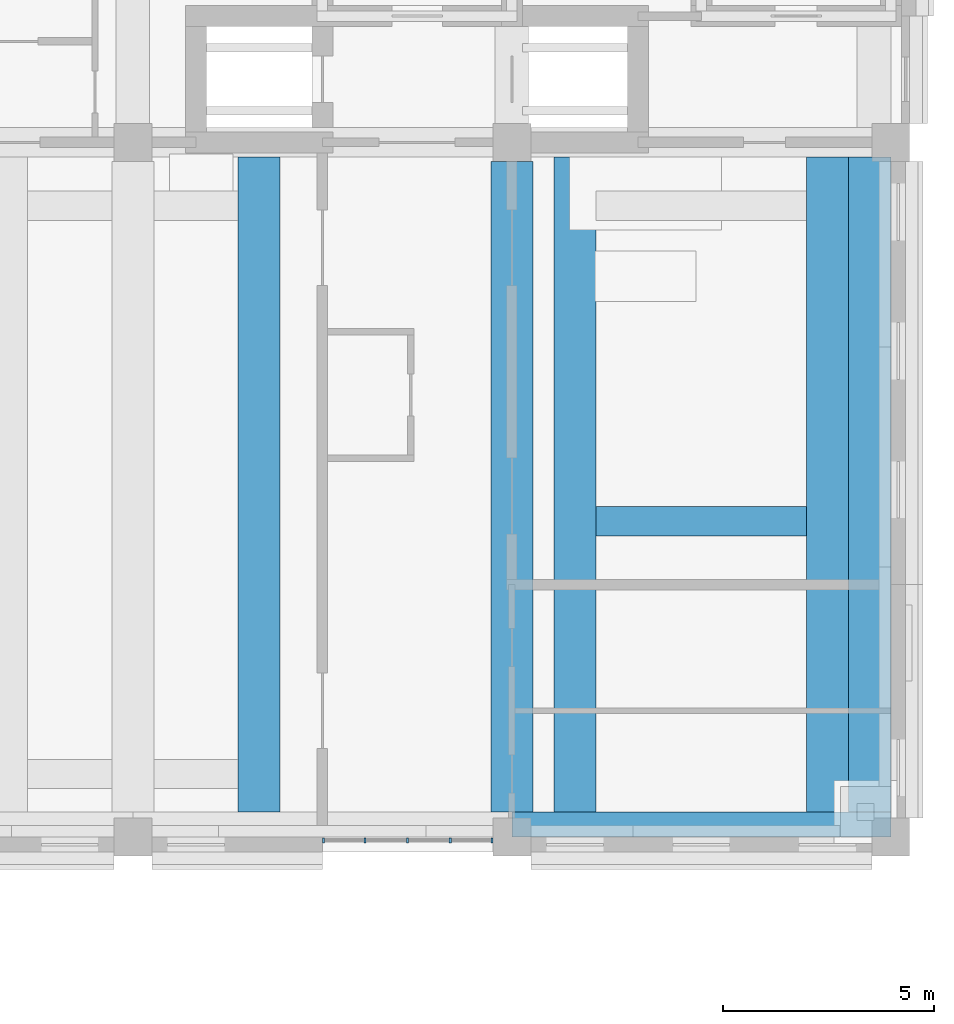
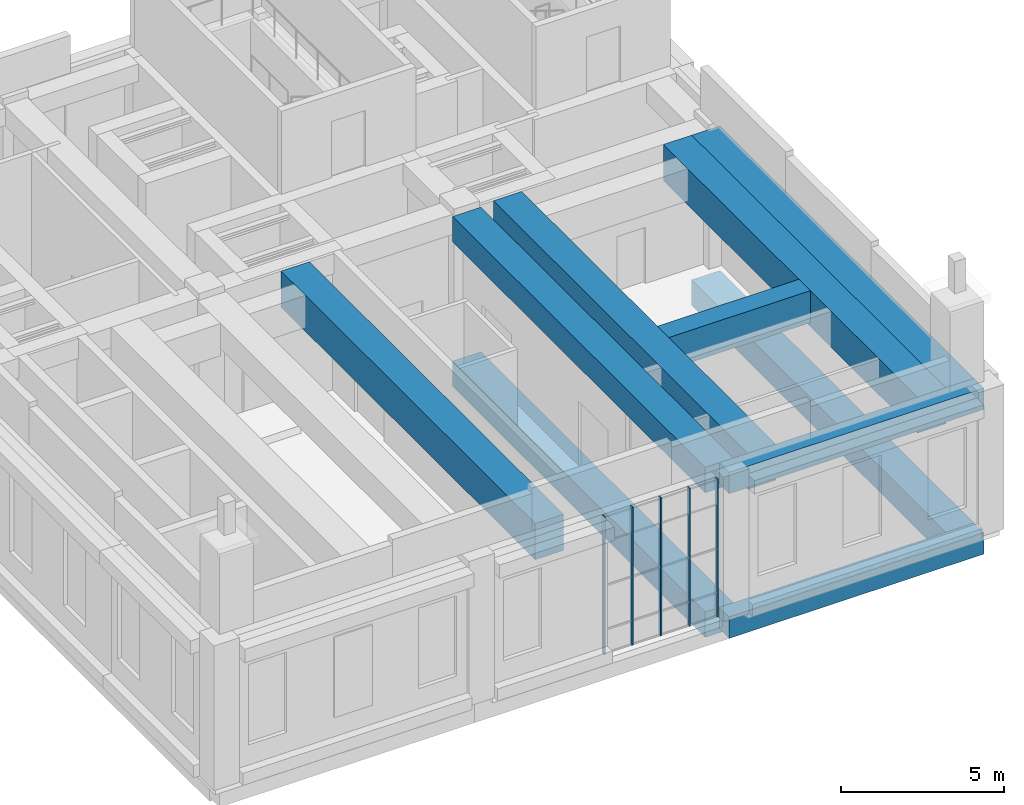
# One storey, part 4 of 22: 10 beams, 5 members, 1 element without a shape of its own.
"""IFC4 building model written with IfcOpenShell, lengths in metres."""

from ifc_helpers import new_model, si_unit, direction, frame, origin, origin_2d, place, context, subcontext, project, spatial, rectangle, extrude, material, layer, layer_set, material_profile, profile_set, type_object, element, aggregate, save


model = new_model("IFC4")

# Units and contexts
model_context = context("Model", 3, precision=1e-05, world=origin(), true_north=direction((0.0, 1.0)))
body_context = subcontext(model_context, "Body", "Model", "MODEL_VIEW")
ifc_project = project(units=[si_unit("LENGTHUNIT", "METRE"), si_unit("AREAUNIT", "SQUARE_METRE"), si_unit("VOLUMEUNIT", "CUBIC_METRE"), si_unit("PLANEANGLEUNIT", "RADIAN"), si_unit("MASSUNIT", "GRAM", prefix="KILO")], contexts=[model_context])

# Site, building, storey
site_placement = place(None, origin())
site = spatial("IfcSite", under=ifc_project, at=site_placement, CompositionType="ELEMENT")
building_placement = place(site_placement, origin())
building = spatial("IfcBuilding", under=site, at=building_placement, Name="Aurelan Courthouse", CompositionType="ELEMENT")
storey_placement = place(building_placement, frame((0.0, 0.0, 39.0)))
storey = spatial("IfcBuildingStorey", under=building, at=storey_placement, Name="L07", CompositionType="ELEMENT", Elevation=39.0)

# Curtain wall, members
ifc_material_1 = material(Name="Bronze-finished aluminium and glass", Category="aluminium")
ifc_layer = layer(ifc_material_1, 0.14990234375)
ifc_layer_set = layer_set([ifc_layer], Name="Bronze-finished aluminium and glass")
curtain_wall_type = type_object("IfcCurtainWallType", Name="Curtain wall 4050 x 5150", PredefinedType="NOTDEFINED", material=ifc_layer_set)
curtain_wall_placement = place(storey_placement, origin())
curtain_wall = element("IfcCurtainWall", 1, at=curtain_wall_placement, inside=storey, type_object=curtain_wall_type, Name="Curtain wall CW-V2-L07-S01", PredefinedType="NOTDEFINED")
ifc_material_2 = material(Name="Bronze-finished aluminium", Category="aluminium")
ifc_material_profile_1 = material_profile(ifc_material_2, rectangle(XDim=0.1201171875, YDim=0.050048828125, at=origin_2d()), Name="Bronze mullion 50 x 120")
ifc_profile_set_1 = profile_set([ifc_material_profile_1], Name="Bronze-finished aluminium")
member_type = type_object("IfcMemberType", Name="Curtain wall mullion 50 x 120", PredefinedType="MULLION", material=ifc_profile_set_1)
member_1_placement = place(storey_placement, frame((49.52490234375, 37.425048828125, 0.0), z_axis=(0.0, 0.0, 1.0), x_axis=(0.0, 1.0, 0.0)))
member_1 = element("IfcMember", 2, at=member_1_placement, type_object=member_type, Name="CW-V2-L07-S01 mullion 1", PredefinedType="MULLION", context=body_context, shape_type="SweptSolid", body=[
    extrude(rectangle(XDim=0.1201171875, YDim=0.050048828125, at=origin_2d()), origin(), (0.0, 0.0, 1.0), 5.14990234375),
])
member_2_placement = place(storey_placement, frame((50.512451171875, 37.425048828125, 0.0), z_axis=(0.0, 0.0, 1.0), x_axis=(0.0, 1.0, 0.0)))
member_2 = element("IfcMember", 3, at=member_2_placement, type_object=member_type, Name="CW-V2-L07-S01 mullion 2", PredefinedType="MULLION", context=body_context, shape_type="SweptSolid", body=[
    extrude(rectangle(XDim=0.1201171875, YDim=0.050048828125, at=origin_2d()), origin(), (0.0, 0.0, 1.0), 5.14990234375),
])
member_3_placement = place(storey_placement, frame((51.52490234375, 37.425048828125, 0.0), z_axis=(0.0, 0.0, 1.0), x_axis=(0.0, 1.0, 0.0)))
member_3 = element("IfcMember", 4, at=member_3_placement, type_object=member_type, Name="CW-V2-L07-S01 mullion 3", PredefinedType="MULLION", context=body_context, shape_type="SweptSolid", body=[
    extrude(rectangle(XDim=0.1201171875, YDim=0.050048828125, at=origin_2d()), origin(), (0.0, 0.0, 1.0), 5.14990234375),
])
member_4_placement = place(storey_placement, frame((52.53759765625, 37.425048828125, 0.0), z_axis=(0.0, 0.0, 1.0), x_axis=(0.0, 1.0, 0.0)))
member_4 = element("IfcMember", 5, at=member_4_placement, type_object=member_type, Name="CW-V2-L07-S01 mullion 4", PredefinedType="MULLION", context=body_context, shape_type="SweptSolid", body=[
    extrude(rectangle(XDim=0.1201171875, YDim=0.050048828125, at=origin_2d()), origin(), (0.0, 0.0, 1.0), 5.14990234375),
])
member_5_placement = place(storey_placement, frame((53.52490234375, 37.425048828125, 0.0), z_axis=(0.0, 0.0, 1.0), x_axis=(0.0, 1.0, 0.0)))
member_5 = element("IfcMember", 6, at=member_5_placement, type_object=member_type, Name="CW-V2-L07-S01 mullion 5", PredefinedType="MULLION", context=body_context, shape_type="SweptSolid", body=[
    extrude(rectangle(XDim=0.1201171875, YDim=0.050048828125, at=origin_2d()), origin(), (0.0, 0.0, 1.0), 5.14990234375),
])
aggregate(curtain_wall, [member_1, member_2, member_3, member_4, member_5])

# Beams
ifc_material_3 = material(Name="Concrete C50", Category="concrete")
ifc_material_profile_2 = material_profile(ifc_material_3, rectangle(XDim=1.0, YDim=0.949951171875, at=origin_2d()), Name="RC 1000 x 950")
ifc_profile_set_2 = profile_set([ifc_material_profile_2], Name="Concrete C50")
beam_type_1 = type_object("IfcBeamType", Name="PT girder 1000 x 950", PredefinedType="BEAM", material=ifc_profile_set_2)
beam_1_placement = place(storey_placement, frame((54.0, 38.10009765625, -0.72509765625), z_axis=(0.0, 1.0, 0.0), x_axis=(-1.0, 0.0, 0.0)))
element("IfcBeam", 7, at=beam_1_placement, inside=storey, type_object=beam_type_1, Name="Girder GB-7DE", PredefinedType="BEAM", context=body_context, shape_type="SweptSolid", body=[
    extrude(rectangle(XDim=1.0, YDim=0.949951171875, at=origin_2d()), origin(), (0.0, 0.0, 1.0), 15.449951171875),
])
beam_2_placement = place(storey_placement, frame((62.5, 38.10009765625, -0.72509765625), z_axis=(0.0, 1.0, 0.0), x_axis=(-1.0, 0.0, 0.0)))
element("IfcBeam", 8, at=beam_2_placement, inside=storey, type_object=beam_type_1, Name="Girder GB-8DE-E", PredefinedType="BEAM", context=body_context, shape_type="SweptSolid", body=[
    extrude(rectangle(XDim=1.0, YDim=0.949951171875, at=origin_2d()), origin(), (0.0, 0.0, 1.0), 15.5498046875),
])
beam_3_placement = place(storey_placement, frame((54.0, 38.10009765625, 4.675048828125), z_axis=(0.0, 1.0, 0.0), x_axis=(-1.0, 0.0, 0.0)))
element("IfcBeam", 9, at=beam_3_placement, inside=storey, type_object=beam_type_1, Name="Girder GB-7DER", PredefinedType="BEAM", context=body_context, shape_type="SweptSolid", body=[
    extrude(rectangle(XDim=1.0, YDim=0.949951171875, at=origin_2d()), origin(), (0.0, 0.0, 1.0), 15.449951171875),
])
beam_4_placement = place(storey_placement, frame((62.5, 38.10009765625, 4.675048828125), z_axis=(0.0, 1.0, 0.0), x_axis=(-1.0, 0.0, 0.0)))
element("IfcBeam", 10, at=beam_4_placement, inside=storey, type_object=beam_type_1, Name="Girder GB-8DEER", PredefinedType="BEAM", context=body_context, shape_type="SweptSolid", body=[
    extrude(rectangle(XDim=1.0, YDim=0.949951171875, at=origin_2d()), origin(), (0.0, 0.0, 1.0), 15.5498046875),
])
ifc_material_profile_3 = material_profile(ifc_material_3, rectangle(XDim=0.60009765625, YDim=0.800048828125, at=origin_2d()), Name="RC 600 x 800")
ifc_profile_set_3 = profile_set([ifc_material_profile_3], Name="Concrete C50")
beam_type_2 = type_object("IfcBeamType", Name="RC spandrel beam 600 x 800", PredefinedType="SPANDREL", material=ifc_profile_set_3)
for number, where, z_axis, x_axis, name in (
    (11, (54.0, 37.800048828125, -0.64990234375), (1.0, 0.0, 0.0), (0.0, 1.0, 0.0), "Spandrel beam SB-D-7-8"),
    (12, (54.0, 37.800048828125, 4.75), (1.0, 0.0, 0.0), (0.0, 1.0, 0.0), "Spandrel beam SB-D-7-8R"),
):
    element("IfcBeam", number, at=place(storey_placement, frame(where, z_axis=z_axis, x_axis=x_axis)), inside=storey, type_object=beam_type_2, Name=name, PredefinedType="SPANDREL", context=body_context, shape_type="SweptSolid", body=[
        extrude(rectangle(XDim=0.60009765625, YDim=0.800048828125, at=origin_2d()), origin(), (0.0, 0.0, 1.0), 9.0),
    ])
ifc_material_4 = material(Name="Concrete C40", Category="concrete")
ifc_material_profile_4 = material_profile(ifc_material_4, rectangle(XDim=1.0, YDim=1.35009765625, at=origin_2d()), Name="RC 1000 x 1350")
ifc_profile_set_4 = profile_set([ifc_material_profile_4], Name="Concrete C40")
beam_type_3 = type_object("IfcBeamType", Name="RC trimmer beam 1000 x 1350", PredefinedType="JOIST", material=ifc_profile_set_4)
for number, where, z_axis, x_axis, name in (
    (13, (48.0, 38.10009765625, 4.47509765625), (0.0, 1.0, 0.0), (-1.0, 0.0, 0.0), "Trimmer beam TB-L07-002"),
    (14, (55.5, 38.10009765625, 4.47509765625), (0.0, 1.0, 0.0), (-1.0, 0.0, 0.0), "Trimmer beam TB-L07-003"),
    (15, (61.5, 38.10009765625, 4.47509765625), (0.0, 1.0, 0.0), (-1.0, 0.0, 0.0), "Trimmer beam TB-L07-004"),
):
    element("IfcBeam", number, at=place(storey_placement, frame(where, z_axis=z_axis, x_axis=x_axis)), inside=storey, type_object=beam_type_3, Name=name, PredefinedType="JOIST", context=body_context, shape_type="SweptSolid", body=[
        extrude(rectangle(XDim=1.0, YDim=1.35009765625, at=origin_2d()), origin(), (0.0, 0.0, 1.0), 15.5498046875),
    ])
ifc_material_profile_5 = material_profile(ifc_material_4, rectangle(XDim=0.699951171875, YDim=1.199951171875, at=origin_2d()), Name="RC 700 x 1200")
ifc_profile_set_5 = profile_set([ifc_material_profile_5], Name="Concrete C40")
beam_type_4 = type_object("IfcBeamType", Name="RC trimmer beam 700 x 1200", PredefinedType="JOIST", material=ifc_profile_set_5)
beam_5_placement = place(storey_placement, frame((56.0, 45.0, 4.550048828125), z_axis=(1.0, 0.0, 0.0), x_axis=(0.0, 1.0, 0.0)))
element("IfcBeam", 16, at=beam_5_placement, inside=storey, type_object=beam_type_4, Name="Trimmer beam TB-L07-007", PredefinedType="JOIST", context=body_context, shape_type="SweptSolid", body=[
    extrude(rectangle(XDim=0.699951171875, YDim=1.199951171875, at=origin_2d()), origin(), (0.0, 0.0, 1.0), 5.0),
])

save(model, "model.ifc")
